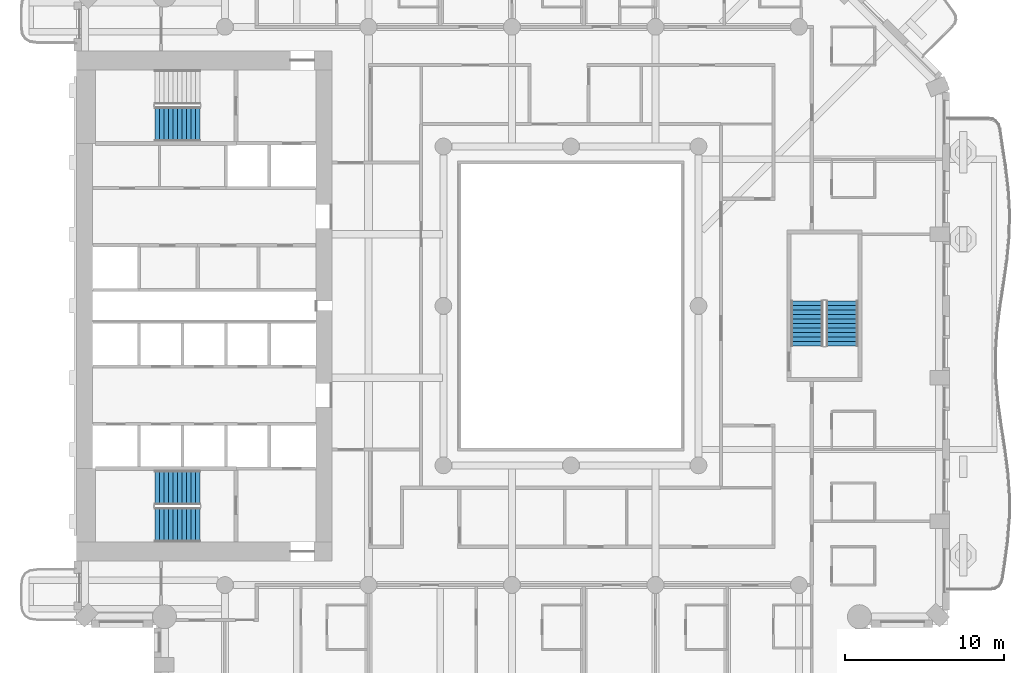
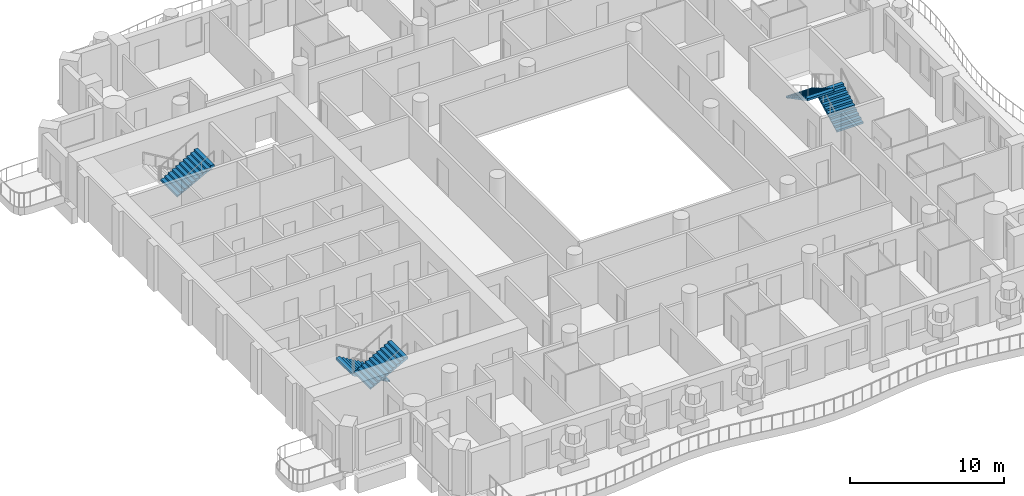
# One storey, part 11 of 20: 5 stair flights, 3 elements without a shape of their own.
"""IFC4 building model written with IfcOpenShell, lengths in metres."""

import ifcopenshell
import ifcopenshell.guid

model = None  # the IFC model being written
_history = None  # IfcOwnerHistory: only IFC2X3 demands one
_inside = {}  # id of a spatial element -> (the spatial element, [elements in it])
_under = {}  # id of a project, library or spatial element -> (it, [spatial elements below it])
_declared = {}  # id of a project -> (the project, [libraries it declares])
_typed = {}  # id of a type object -> (the type object, [elements of that type])
_made_of = {}  # id of a material, layer set ... -> (it, [elements and type objects made of it])


def new_model(schema):
    """Start an empty IFC model of exactly this schema.

    Asked for "IFC4X3", IfcOpenShell would pick the latest addendum, in which some entities
    have other attributes; the version numbers below select the first issue.
    IFC2X3 requires an IfcOwnerHistory on every rooted entity: one is made here for all.
    """
    global model, _history
    if schema == "IFC4X3":
        model = ifcopenshell.file(schema_version=(4, 3, 0, 0))
    else:
        model = ifcopenshell.file(schema=schema)
    _inside.clear()
    _under.clear()
    _declared.clear()
    _typed.clear()
    _made_of.clear()
    _history = None
    if model.schema == "IFC2X3":
        org = make("IfcOrganization", Name="unknown")
        user = make(
            "IfcPersonAndOrganization",
            ThePerson=make("IfcPerson", FamilyName="unknown"),
            TheOrganization=org,
        )
        app = make(
            "IfcApplication",
            ApplicationDeveloper=org,
            Version="unknown",
            ApplicationFullName="unknown",
            ApplicationIdentifier="unknown",
        )
        _history = make(
            "IfcOwnerHistory",
            OwningUser=user,
            OwningApplication=app,
            ChangeAction="ADDED",
            CreationDate=0,
        )
    return model


def make(cls, **values):
    """One entity of the class cls with the attributes given. An attribute that is None is left unset."""
    return model.create_entity(
        cls, **{name: value for name, value in values.items() if value is not None}
    )


def rooted(cls, **values):
    """An entity with a GlobalId (a new one), such as an element, a storey or a relation."""
    return make(cls, GlobalId=ifcopenshell.guid.new(), OwnerHistory=_history, **values)


def si_unit(unit_type, name, prefix=None):
    """IfcSIUnit, for example si_unit("LENGTHUNIT", "METRE", prefix="MILLI")."""
    return make("IfcSIUnit", UnitType=unit_type, Prefix=prefix, Name=name)


def assignment(units):
    """IfcUnitAssignment: the units of a project."""
    return None if units is None else make("IfcUnitAssignment", Units=units)


def point(xyz):
    """IfcCartesianPoint."""
    return None if xyz is None else make("IfcCartesianPoint", Coordinates=xyz)


def direction(xyz):
    """IfcDirection."""
    return None if xyz is None else make("IfcDirection", DirectionRatios=xyz)


def frame(location, z_axis=None, x_axis=None):
    """IfcAxis2Placement3D, a coordinate frame: its origin and axes. An axis left out is left unset."""
    return make(
        "IfcAxis2Placement3D",
        Location=point(location),
        Axis=direction(z_axis),
        RefDirection=direction(x_axis),
    )


def origin():
    """The frame at (0, 0, 0) with its axes left unset."""
    return frame((0.0, 0.0, 0.0))


def place(relative_to, where):
    """IfcLocalPlacement: puts the frame where relative to a parent placement (None: the world)."""
    return make(
        "IfcLocalPlacement", PlacementRelTo=relative_to, RelativePlacement=where
    )


def context(
    kind, dimensions, precision=None, world=None, true_north=None, identifier=None
):
    """IfcGeometricRepresentationContext, for example the 3D "Model" context."""
    return make(
        "IfcGeometricRepresentationContext",
        ContextIdentifier=identifier,
        ContextType=kind,
        CoordinateSpaceDimension=dimensions,
        Precision=precision,
        WorldCoordinateSystem=world,
        TrueNorth=true_north,
    )


def subcontext(parent, identifier, kind, view, scale=None):
    """IfcGeometricRepresentationSubContext, for example "Body" below "Model"."""
    return make(
        "IfcGeometricRepresentationSubContext",
        ContextIdentifier=identifier,
        ContextType=kind,
        ParentContext=parent,
        TargetScale=scale,
        TargetView=view,
    )


def project(units=None, contexts=None):
    """IfcProject with its units and contexts."""
    return rooted(
        "IfcProject",
        Name="project",
        RepresentationContexts=contexts,
        UnitsInContext=assignment(units),
    )


def spatial(cls, under=None, at=None, **own):
    """A site, building, storey or space (cls), placed at a placement, below another one or the project."""
    s = rooted(cls, ObjectPlacement=at, **own)
    if under is not None:
        _under.setdefault(under.id(), (under, []))[1].append(s)
    return s


def point_list(points):
    """IfcCartesianPointList2D or 3D."""
    cls = (
        "IfcCartesianPointList2D" if len(points[0]) == 2 else "IfcCartesianPointList3D"
    )
    return make(cls, CoordList=points)


def triangles(points, corners, closed=None, point_numbers=None):
    """IfcTriangulatedFaceSet: each triangle names its three corners, points numbered from 1."""
    return make(
        "IfcTriangulatedFaceSet",
        Coordinates=point_list(points),
        Closed=closed,
        CoordIndex=corners,
        PnIndex=point_numbers,
    )


def shape(context_of_items, identifier, shape_type, items):
    """IfcShapeRepresentation: the items that make up one representation, for example the "Body"."""
    return make(
        "IfcShapeRepresentation",
        ContextOfItems=context_of_items,
        RepresentationIdentifier=identifier,
        RepresentationType=shape_type,
        Items=items,
    )


def material(Name=None, Category=None):
    """IfcMaterial."""
    return make("IfcMaterial", Name=Name, Category=Category)


def made_of(thing, what):
    """Note that an element or type object is made of a material, layer set ...; save() writes the relation."""
    if what is not None:
        _made_of.setdefault(what.id(), (what, []))[1].append(thing)
    return thing


def type_object(cls, material=None, **own):
    """A type object (cls), such as IfcWallType, which elements share."""
    return made_of(rooted(cls, **own), material)


def element(
    cls,
    number,
    at=None,
    inside=None,
    cuts=None,
    type_object=None,
    material=None,
    context=None,
    identifier="Body",
    shape_type=None,
    held_by="IfcProductDefinitionShape",
    body=None,
    shapes=None,
    **own,
):
    """One element of the class cls, such as IfcWall. Its Tag is "e" and its number.

    at: its placement. inside: the storey or other place that contains it. cuts: it is an
    opening in that element (IfcRelVoidsElement). A single representation is given by context,
    identifier, shape_type and body (its items); several are given by shapes. held_by: the class
    of the entity that holds the representations. save() writes the other relations.
    """
    e = rooted(cls, Tag="e%d" % number, ObjectPlacement=at, **own)
    if body is not None:
        shapes = [shape(context, identifier, shape_type, body)]
    if shapes is not None:
        e.Representation = make(held_by, Representations=shapes)
    if inside is not None:
        _inside.setdefault(inside.id(), (inside, []))[1].append(e)
    if cuts is not None:
        rooted(
            "IfcRelVoidsElement", RelatingBuildingElement=cuts, RelatedOpeningElement=e
        )
    if type_object is not None:
        _typed.setdefault(type_object.id(), (type_object, []))[1].append(e)
    return made_of(e, material)


def aggregate(whole, parts):
    """IfcRelAggregates: a whole, such as a stair, and the parts it consists of."""
    return rooted("IfcRelAggregates", RelatingObject=whole, RelatedObjects=parts)


def save(model, path):
    """Write the relations noted so far, then the file.

    IfcRelAggregates (storeys below a building ...), IfcRelContainedInSpatialStructure (elements
    in a storey), IfcRelDefinesByType, IfcRelAssociatesMaterial and IfcRelDeclares: one each for
    every whole, place, type object, material and project.
    """
    for whole, parts in _under.values():
        aggregate(whole, parts)
    for where, things in _inside.values():
        rooted(
            "IfcRelContainedInSpatialStructure",
            RelatedElements=things,
            RelatingStructure=where,
        )
    for kind, things in _typed.values():
        rooted("IfcRelDefinesByType", RelatedObjects=things, RelatingType=kind)
    for what, things in _made_of.values():
        rooted("IfcRelAssociatesMaterial", RelatedObjects=things, RelatingMaterial=what)
    for by, libraries in _declared.values():
        rooted("IfcRelDeclares", RelatingContext=by, RelatedDefinitions=libraries)
    model.write(path)


model = new_model("IFC4")

# Units and contexts
model_context = context("Model", 3, precision=1e-05, world=origin(), true_north=direction((0.0, 1.0)))
body_context = subcontext(model_context, "Body", "Model", "MODEL_VIEW")
ifc_project = project(units=[si_unit("LENGTHUNIT", "METRE"), si_unit("AREAUNIT", "SQUARE_METRE"), si_unit("VOLUMEUNIT", "CUBIC_METRE"), si_unit("PLANEANGLEUNIT", "RADIAN"), si_unit("MASSUNIT", "GRAM", prefix="KILO")], contexts=[model_context])

# Site, building, storey
site_placement = place(None, origin())
site = spatial("IfcSite", under=ifc_project, at=site_placement, CompositionType="ELEMENT")
building_placement = place(site_placement, origin())
building = spatial("IfcBuilding", under=site, at=building_placement, Name="Cypress Arch Tower", CompositionType="ELEMENT")
storey_placement = place(building_placement, frame((0.0, 0.0, 134.699951171875)))
storey = spatial("IfcBuildingStorey", under=building, at=storey_placement, Name="L29", CompositionType="ELEMENT", Elevation=134.699951171875)

# Stair, stair flights
ifc_material_1 = material(Name="Concrete C40/50", Category="concrete")
stair_type_1 = type_object("IfcStairType", Name="Exit stair ES1636-200", PredefinedType="HALF_TURN_STAIR", material=ifc_material_1)
stair_1_placement = place(storey_placement, origin())
stair_1 = element("IfcStair", 1, at=stair_1_placement, inside=storey, type_object=stair_type_1, Name="L29 Exit stair C", PredefinedType="HALF_TURN_STAIR")
ifc_material_2 = material(Name="Concrete C40/50", Category="concrete")
stair_flight_type_1 = type_object("IfcStairFlightType", Name="Exit stair flight ES1636-200", PredefinedType="STRAIGHT", material=ifc_material_2)
stair_flight_1_placement = place(storey_placement, frame((18.0, -2.5, 0.0), z_axis=(0.0, 0.0, 1.0), x_axis=(0.0, 1.0, 0.0)))
stair_flight_1 = element("IfcStairFlight", 2, at=stair_flight_1_placement, type_object=stair_flight_type_1, Name="C flight 1", NumberOfRisers=11, NumberOfTreads=10, PredefinedType="STRAIGHT", RiserHeight=0.163636364, TreadLength=0.28, context=body_context, shape_type="Tessellation", body=[
    triangles([(0.0, -1.0, 0.0), (0.00048828125, -1.0, 0.054443359375), (0.00048828125, -1.0, 0.109130859375), (0.0, -1.0, 0.16357421875), (0.280029296875, -1.0, 0.16357421875), (0.280029296875, -1.0, 0.327392578125), (0.56005859375, -1.0, 0.327392578125), (0.56005859375, -1.0, 0.490966796875), (0.840087890625, -1.0, 0.490966796875), (0.840087890625, -1.0, 0.654541015625), (1.1201171875, -1.0, 0.654541015625), (1.1201171875, -1.0, 0.818115234375), (1.39990234375, -1.0, 0.818115234375), (1.39990234375, -1.0, 0.98193359375), (1.679931640625, -1.0, 0.98193359375), (1.679931640625, -1.0, 1.1455078125), (1.9599609375, -1.0, 1.1455078125), (1.9599609375, -1.0, 1.30908203125), (2.239990234375, -1.0, 1.30908203125), (2.239990234375, -1.0, 1.47265625), (2.52001953125, -1.0, 1.47265625), (2.52001953125, -1.0, 1.636474609375), (2.800048828125, -1.0, 1.636474609375), (2.799560546875, -1.0, 1.57861328125), (2.799560546875, -1.0, 1.5205078125), (2.800048828125, -1.0, 1.462646484375), (2.800048828125, 1.0, 1.462646484375), (2.799560546875, 1.0, 1.5205078125), (2.799560546875, 1.0, 1.57861328125), (2.800048828125, 1.0, 1.636474609375), (2.52001953125, 1.0, 1.636474609375), (2.52001953125, 1.0, 1.47265625), (2.239990234375, 1.0, 1.47265625), (2.239990234375, 1.0, 1.30908203125), (1.9599609375, 1.0, 1.30908203125), (1.9599609375, 1.0, 1.1455078125), (1.679931640625, 1.0, 1.1455078125), (1.679931640625, 1.0, 0.98193359375), (1.39990234375, 1.0, 0.98193359375), (1.39990234375, 1.0, 0.818115234375), (1.1201171875, 1.0, 0.818115234375), (1.1201171875, 1.0, 0.654541015625), (0.840087890625, 1.0, 0.654541015625), (0.840087890625, 1.0, 0.490966796875), (0.56005859375, 1.0, 0.490966796875), (0.56005859375, 1.0, 0.327392578125), (0.280029296875, 1.0, 0.327392578125), (0.280029296875, 1.0, 0.16357421875), (0.0, 1.0, 0.16357421875), (0.00048828125, 1.0, 0.109130859375), (0.00048828125, 1.0, 0.054443359375), (0.0, 1.0, 0.0), (2.799560546875, 0.0, 1.5205078125), (2.800048828125, 0.0, 1.462646484375), (2.799560546875, 0.0, 1.57861328125), (2.800048828125, 0.0, 1.636474609375), (2.52001953125, 0.0, 1.636474609375), (2.52001953125, 0.0, 1.47265625), (2.239990234375, 0.0, 1.47265625), (2.239990234375, 0.0, 1.30908203125), (1.9599609375, 0.0, 1.30908203125), (1.9599609375, 0.0, 1.1455078125), (1.679931640625, 0.0, 1.1455078125), (1.679931640625, 0.0, 0.98193359375), (1.39990234375, 0.0, 0.98193359375), (1.39990234375, 0.0, 0.818115234375), (1.1201171875, 0.0, 0.818115234375), (1.1201171875, 0.0, 0.654541015625), (0.840087890625, 0.0, 0.654541015625), (0.840087890625, 0.0, 0.490966796875), (0.56005859375, 0.0, 0.490966796875), (0.56005859375, 0.0, 0.327392578125), (0.280029296875, 0.0, 0.327392578125), (0.280029296875, 0.0, 0.16357421875), (0.0, 0.0, 0.16357421875), (0.00048828125, 0.0, 0.109130859375), (0.00048828125, 0.0, 0.054443359375), (0.0, 0.0, 0.0)], [[26, 25, 22], [25, 24, 22], [24, 23, 22], [15, 14, 13], [7, 6, 5], [13, 12, 11], [21, 20, 19], [19, 18, 17], [17, 16, 15], [11, 10, 9], [9, 8, 7], [4, 3, 5], [3, 2, 5], [2, 1, 5], [26, 22, 21], [26, 21, 19], [26, 19, 17], [26, 17, 15], [26, 15, 13], [26, 13, 11], [26, 11, 9], [26, 9, 7], [26, 7, 5], [26, 5, 1], [27, 31, 28], [28, 31, 29], [29, 31, 30], [38, 40, 39], [46, 48, 47], [40, 42, 41], [32, 34, 33], [34, 36, 35], [36, 38, 37], [42, 44, 43], [44, 46, 45], [49, 48, 50], [50, 48, 51], [51, 48, 52], [27, 32, 31], [27, 34, 32], [27, 36, 34], [27, 38, 36], [27, 40, 38], [27, 42, 40], [27, 44, 42], [27, 46, 44], [27, 48, 46], [27, 52, 48], [54, 53, 25], [54, 25, 26], [27, 28, 53], [27, 53, 54], [53, 55, 24], [53, 24, 25], [28, 29, 55], [28, 55, 53], [55, 56, 23], [55, 23, 24], [29, 30, 56], [29, 56, 55], [56, 57, 22], [56, 22, 23], [30, 31, 57], [30, 57, 56], [57, 58, 21], [57, 21, 22], [31, 32, 58], [31, 58, 57], [58, 59, 20], [58, 20, 21], [32, 33, 59], [32, 59, 58], [59, 60, 19], [59, 19, 20], [33, 34, 60], [33, 60, 59], [60, 61, 18], [60, 18, 19], [34, 35, 61], [34, 61, 60], [61, 62, 17], [61, 17, 18], [35, 36, 62], [35, 62, 61], [62, 63, 16], [62, 16, 17], [36, 37, 63], [36, 63, 62], [63, 64, 15], [63, 15, 16], [37, 38, 64], [37, 64, 63], [64, 65, 14], [64, 14, 15], [38, 39, 65], [38, 65, 64], [65, 66, 13], [65, 13, 14], [39, 40, 66], [39, 66, 65], [66, 67, 12], [66, 12, 13], [40, 41, 67], [40, 67, 66], [67, 68, 11], [67, 11, 12], [41, 42, 68], [41, 68, 67], [68, 69, 10], [68, 10, 11], [42, 43, 69], [42, 69, 68], [69, 70, 9], [69, 9, 10], [43, 44, 70], [43, 70, 69], [70, 71, 8], [70, 8, 9], [44, 45, 71], [44, 71, 70], [71, 72, 7], [71, 7, 8], [45, 46, 72], [45, 72, 71], [72, 73, 6], [72, 6, 7], [46, 47, 73], [46, 73, 72], [73, 74, 5], [73, 5, 6], [47, 48, 74], [47, 74, 73], [74, 75, 4], [74, 4, 5], [48, 49, 75], [48, 75, 74], [75, 76, 3], [75, 3, 4], [49, 50, 76], [49, 76, 75], [76, 77, 2], [76, 2, 3], [50, 51, 77], [50, 77, 76], [77, 78, 1], [77, 1, 2], [51, 52, 78], [51, 78, 77], [78, 54, 26], [78, 26, 1], [52, 27, 54], [52, 54, 78]], closed=True),
])
stair_flight_2_placement = place(storey_placement, frame((15.800048828125, 0.300048828125, 1.800048828125), z_axis=(0.0, 0.0, 1.0), x_axis=(0.0, -1.0, 0.0)))
stair_flight_2 = element("IfcStairFlight", 3, at=stair_flight_2_placement, type_object=stair_flight_type_1, Name="C flight 2", NumberOfRisers=11, NumberOfTreads=10, PredefinedType="STRAIGHT", RiserHeight=0.163636364, TreadLength=0.28, context=body_context, shape_type="Tessellation", body=[
    triangles([(0.0, -1.0, 0.0), (0.00048828125, -1.0, 0.054443359375), (0.00048828125, -1.0, 0.109130859375), (0.0, -1.0, 0.16357421875), (0.280029296875, -1.0, 0.16357421875), (0.280029296875, -1.0, 0.327392578125), (0.56005859375, -1.0, 0.327392578125), (0.56005859375, -1.0, 0.490966796875), (0.840087890625, -1.0, 0.490966796875), (0.840087890625, -1.0, 0.654541015625), (1.1201171875, -1.0, 0.654541015625), (1.1201171875, -1.0, 0.818115234375), (1.39990234375, -1.0, 0.818115234375), (1.39990234375, -1.0, 0.98193359375), (1.679931640625, -1.0, 0.98193359375), (1.679931640625, -1.0, 1.1455078125), (1.9599609375, -1.0, 1.1455078125), (1.9599609375, -1.0, 1.30908203125), (2.239990234375, -1.0, 1.30908203125), (2.239990234375, -1.0, 1.47265625), (2.52001953125, -1.0, 1.47265625), (2.52001953125, -1.0, 1.636474609375), (2.800048828125, -1.0, 1.636474609375), (2.799560546875, -1.0, 1.57861328125), (2.799560546875, -1.0, 1.5205078125), (2.800048828125, -1.0, 1.462646484375), (2.800048828125, 1.0, 1.462646484375), (2.799560546875, 1.0, 1.5205078125), (2.799560546875, 1.0, 1.57861328125), (2.800048828125, 1.0, 1.636474609375), (2.52001953125, 1.0, 1.636474609375), (2.52001953125, 1.0, 1.47265625), (2.239990234375, 1.0, 1.47265625), (2.239990234375, 1.0, 1.30908203125), (1.9599609375, 1.0, 1.30908203125), (1.9599609375, 1.0, 1.1455078125), (1.679931640625, 1.0, 1.1455078125), (1.679931640625, 1.0, 0.98193359375), (1.39990234375, 1.0, 0.98193359375), (1.39990234375, 1.0, 0.818115234375), (1.1201171875, 1.0, 0.818115234375), (1.1201171875, 1.0, 0.654541015625), (0.840087890625, 1.0, 0.654541015625), (0.840087890625, 1.0, 0.490966796875), (0.56005859375, 1.0, 0.490966796875), (0.56005859375, 1.0, 0.327392578125), (0.280029296875, 1.0, 0.327392578125), (0.280029296875, 1.0, 0.16357421875), (0.0, 1.0, 0.16357421875), (0.00048828125, 1.0, 0.109130859375), (0.00048828125, 1.0, 0.054443359375), (0.0, 1.0, 0.0), (2.799560546875, 0.0, 1.5205078125), (2.800048828125, 0.0, 1.462646484375), (2.799560546875, 0.0, 1.57861328125), (2.800048828125, 0.0, 1.636474609375), (2.52001953125, 0.0, 1.636474609375), (2.52001953125, 0.0, 1.47265625), (2.239990234375, 0.0, 1.47265625), (2.239990234375, 0.0, 1.30908203125), (1.9599609375, 0.0, 1.30908203125), (1.9599609375, 0.0, 1.1455078125), (1.679931640625, 0.0, 1.1455078125), (1.679931640625, 0.0, 0.98193359375), (1.39990234375, 0.0, 0.98193359375), (1.39990234375, 0.0, 0.818115234375), (1.1201171875, 0.0, 0.818115234375), (1.1201171875, 0.0, 0.654541015625), (0.840087890625, 0.0, 0.654541015625), (0.840087890625, 0.0, 0.490966796875), (0.56005859375, 0.0, 0.490966796875), (0.56005859375, 0.0, 0.327392578125), (0.280029296875, 0.0, 0.327392578125), (0.280029296875, 0.0, 0.16357421875), (0.0, 0.0, 0.16357421875), (0.00048828125, 0.0, 0.109130859375), (0.00048828125, 0.0, 0.054443359375), (0.0, 0.0, 0.0)], [[26, 25, 22], [25, 24, 22], [24, 23, 22], [15, 14, 13], [7, 6, 5], [13, 12, 11], [21, 20, 19], [19, 18, 17], [17, 16, 15], [11, 10, 9], [9, 8, 7], [4, 3, 5], [3, 2, 5], [2, 1, 5], [26, 22, 21], [26, 21, 19], [26, 19, 17], [26, 17, 15], [26, 15, 13], [26, 13, 11], [26, 11, 9], [26, 9, 7], [26, 7, 5], [26, 5, 1], [27, 31, 28], [28, 31, 29], [29, 31, 30], [38, 40, 39], [46, 48, 47], [40, 42, 41], [32, 34, 33], [34, 36, 35], [36, 38, 37], [42, 44, 43], [44, 46, 45], [49, 48, 50], [50, 48, 51], [51, 48, 52], [27, 32, 31], [27, 34, 32], [27, 36, 34], [27, 38, 36], [27, 40, 38], [27, 42, 40], [27, 44, 42], [27, 46, 44], [27, 48, 46], [27, 52, 48], [54, 53, 25], [54, 25, 26], [27, 28, 53], [27, 53, 54], [53, 55, 24], [53, 24, 25], [28, 29, 55], [28, 55, 53], [55, 56, 23], [55, 23, 24], [29, 30, 56], [29, 56, 55], [56, 57, 22], [56, 22, 23], [30, 31, 57], [30, 57, 56], [57, 58, 21], [57, 21, 22], [31, 32, 58], [31, 58, 57], [58, 59, 20], [58, 20, 21], [32, 33, 59], [32, 59, 58], [59, 60, 19], [59, 19, 20], [33, 34, 60], [33, 60, 59], [60, 61, 18], [60, 18, 19], [34, 35, 61], [34, 61, 60], [61, 62, 17], [61, 17, 18], [35, 36, 62], [35, 62, 61], [62, 63, 16], [62, 16, 17], [36, 37, 63], [36, 63, 62], [63, 64, 15], [63, 15, 16], [37, 38, 64], [37, 64, 63], [64, 65, 14], [64, 14, 15], [38, 39, 65], [38, 65, 64], [65, 66, 13], [65, 13, 14], [39, 40, 66], [39, 66, 65], [66, 67, 12], [66, 12, 13], [40, 41, 67], [40, 67, 66], [67, 68, 11], [67, 11, 12], [41, 42, 68], [41, 68, 67], [68, 69, 10], [68, 10, 11], [42, 43, 69], [42, 69, 68], [69, 70, 9], [69, 9, 10], [43, 44, 70], [43, 70, 69], [70, 71, 8], [70, 8, 9], [44, 45, 71], [44, 71, 70], [71, 72, 7], [71, 7, 8], [45, 46, 72], [45, 72, 71], [72, 73, 6], [72, 6, 7], [46, 47, 73], [46, 73, 72], [73, 74, 5], [73, 5, 6], [47, 48, 74], [47, 74, 73], [74, 75, 4], [74, 4, 5], [48, 49, 75], [48, 75, 74], [75, 76, 3], [75, 3, 4], [49, 50, 76], [49, 76, 75], [76, 77, 2], [76, 2, 3], [50, 51, 77], [50, 77, 76], [77, 78, 1], [77, 1, 2], [51, 52, 78], [51, 78, 77], [78, 54, 26], [78, 26, 1], [52, 27, 54], [52, 54, 78]], closed=True),
])
aggregate(stair_1, [stair_flight_1, stair_flight_2])

ifc_material_3 = material(Name="Concrete C40/50", Category="concrete")
stair_type_2 = type_object("IfcStairType", Name="Exit stair ES1636-215", PredefinedType="HALF_TURN_STAIR", material=ifc_material_3)
stair_2_placement = place(storey_placement, origin())
stair_2 = element("IfcStair", 4, at=stair_2_placement, inside=storey, type_object=stair_type_2, Name="L29 Exit stair A", PredefinedType="HALF_TURN_STAIR")
ifc_material_4 = material(Name="Concrete C40/50", Category="concrete")
stair_flight_type_2 = type_object("IfcStairFlightType", Name="Exit stair flight ES1636-215", PredefinedType="STRAIGHT", material=ifc_material_4)
stair_flight_3_placement = place(storey_placement, frame((-22.27490234375, -11.39990234375, 0.0), z_axis=(0.0, 0.0, 1.0), x_axis=(-1.0, 0.0, 0.0)))
stair_flight_3 = element("IfcStairFlight", 5, at=stair_flight_3_placement, type_object=stair_flight_type_2, Name="A flight 1", NumberOfRisers=11, NumberOfTreads=10, PredefinedType="STRAIGHT", RiserHeight=0.163636364, TreadLength=0.28, context=body_context, shape_type="Tessellation", body=[
    triangles([(0.0, -1.074951171875, 0.0), (0.000244140625, -1.074951171875, 0.03271484375), (0.00048828125, -1.074951171875, 0.0654296875), (0.00048828125, -1.074951171875, 0.09814453125), (0.000244140625, -1.074951171875, 0.130859375), (0.0, -1.074951171875, 0.16357421875), (0.280029296875, -1.074951171875, 0.16357421875), (0.280029296875, -1.074951171875, 0.327392578125), (0.56005859375, -1.074951171875, 0.327392578125), (0.56005859375, -1.074951171875, 0.490966796875), (0.840087890625, -1.074951171875, 0.490966796875), (0.840087890625, -1.074951171875, 0.654541015625), (1.1201171875, -1.074951171875, 0.654541015625), (1.1201171875, -1.074951171875, 0.818115234375), (1.39990234375, -1.074951171875, 0.818115234375), (1.39990234375, -1.074951171875, 0.98193359375), (1.679931640625, -1.074951171875, 0.98193359375), (1.679931640625, -1.074951171875, 1.1455078125), (1.9599609375, -1.074951171875, 1.1455078125), (1.9599609375, -1.074951171875, 1.30908203125), (2.239990234375, -1.074951171875, 1.30908203125), (2.239990234375, -1.074951171875, 1.47265625), (2.52001953125, -1.074951171875, 1.47265625), (2.52001953125, -1.074951171875, 1.636474609375), (2.800048828125, -1.074951171875, 1.636474609375), (2.7998046875, -1.074951171875, 1.601806640625), (2.799560546875, -1.074951171875, 1.56689453125), (2.799560546875, -1.074951171875, 1.5322265625), (2.7998046875, -1.074951171875, 1.497314453125), (2.800048828125, -1.074951171875, 1.462646484375), (2.800048828125, 1.074951171875, 1.462646484375), (2.7998046875, 1.074951171875, 1.497314453125), (2.799560546875, 1.074951171875, 1.5322265625), (2.799560546875, 1.074951171875, 1.56689453125), (2.7998046875, 1.074951171875, 1.601806640625), (2.800048828125, 1.074951171875, 1.636474609375), (2.52001953125, 1.074951171875, 1.636474609375), (2.52001953125, 1.074951171875, 1.47265625), (2.239990234375, 1.074951171875, 1.47265625), (2.239990234375, 1.074951171875, 1.30908203125), (1.9599609375, 1.074951171875, 1.30908203125), (1.9599609375, 1.074951171875, 1.1455078125), (1.679931640625, 1.074951171875, 1.1455078125), (1.679931640625, 1.074951171875, 0.98193359375), (1.39990234375, 1.074951171875, 0.98193359375), (1.39990234375, 1.074951171875, 0.818115234375), (1.1201171875, 1.074951171875, 0.818115234375), (1.1201171875, 1.074951171875, 0.654541015625), (0.840087890625, 1.074951171875, 0.654541015625), (0.840087890625, 1.074951171875, 0.490966796875), (0.56005859375, 1.074951171875, 0.490966796875), (0.56005859375, 1.074951171875, 0.327392578125), (0.280029296875, 1.074951171875, 0.327392578125), (0.280029296875, 1.074951171875, 0.16357421875), (0.0, 1.074951171875, 0.16357421875), (0.000244140625, 1.074951171875, 0.130859375), (0.00048828125, 1.074951171875, 0.09814453125), (0.00048828125, 1.074951171875, 0.0654296875), (0.000244140625, 1.074951171875, 0.03271484375), (0.0, 1.074951171875, 0.0), (2.7998046875, 0.0, 1.497314453125), (2.800048828125, 0.0, 1.462646484375), (2.799560546875, 0.0, 1.5322265625), (2.799560546875, 0.0, 1.56689453125), (2.7998046875, 0.0, 1.601806640625), (2.800048828125, 0.0, 1.636474609375), (2.52001953125, 0.0, 1.636474609375), (2.52001953125, 0.0, 1.47265625), (2.239990234375, 0.0, 1.47265625), (2.239990234375, 0.0, 1.30908203125), (1.9599609375, 0.0, 1.30908203125), (1.9599609375, 0.0, 1.1455078125), (1.679931640625, 0.0, 1.1455078125), (1.679931640625, 0.0, 0.98193359375), (1.39990234375, 0.0, 0.98193359375), (1.39990234375, 0.0, 0.818115234375), (1.1201171875, 0.0, 0.818115234375), (1.1201171875, 0.0, 0.654541015625), (0.840087890625, 0.0, 0.654541015625), (0.840087890625, 0.0, 0.490966796875), (0.56005859375, 0.0, 0.490966796875), (0.56005859375, 0.0, 0.327392578125), (0.280029296875, 0.0, 0.327392578125), (0.280029296875, 0.0, 0.16357421875), (0.0, 0.0, 0.16357421875), (0.000244140625, 0.0, 0.130859375), (0.00048828125, 0.0, 0.09814453125), (0.00048828125, 0.0, 0.0654296875), (0.000244140625, 0.0, 0.03271484375), (0.0, 0.0, 0.0)], [[30, 29, 24], [29, 28, 24], [28, 27, 24], [27, 26, 24], [26, 25, 24], [17, 16, 15], [9, 8, 7], [15, 14, 13], [23, 22, 21], [21, 20, 19], [19, 18, 17], [13, 12, 11], [11, 10, 9], [6, 5, 7], [5, 4, 7], [4, 3, 7], [3, 2, 7], [2, 1, 7], [30, 24, 23], [30, 23, 21], [30, 21, 19], [30, 19, 17], [30, 17, 15], [30, 15, 13], [30, 13, 11], [30, 11, 9], [30, 9, 7], [30, 7, 1], [31, 37, 32], [32, 37, 33], [33, 37, 34], [34, 37, 35], [35, 37, 36], [44, 46, 45], [52, 54, 53], [46, 48, 47], [38, 40, 39], [40, 42, 41], [42, 44, 43], [48, 50, 49], [50, 52, 51], [55, 54, 56], [56, 54, 57], [57, 54, 58], [58, 54, 59], [59, 54, 60], [31, 38, 37], [31, 40, 38], [31, 42, 40], [31, 44, 42], [31, 46, 44], [31, 48, 46], [31, 50, 48], [31, 52, 50], [31, 54, 52], [31, 60, 54], [62, 61, 29], [62, 29, 30], [31, 32, 61], [31, 61, 62], [61, 63, 28], [61, 28, 29], [32, 33, 63], [32, 63, 61], [63, 64, 27], [63, 27, 28], [33, 34, 64], [33, 64, 63], [64, 65, 26], [64, 26, 27], [34, 35, 65], [34, 65, 64], [65, 66, 25], [65, 25, 26], [35, 36, 66], [35, 66, 65], [66, 67, 24], [66, 24, 25], [36, 37, 67], [36, 67, 66], [67, 68, 23], [67, 23, 24], [37, 38, 68], [37, 68, 67], [68, 69, 22], [68, 22, 23], [38, 39, 69], [38, 69, 68], [69, 70, 21], [69, 21, 22], [39, 40, 70], [39, 70, 69], [70, 71, 20], [70, 20, 21], [40, 41, 71], [40, 71, 70], [71, 72, 19], [71, 19, 20], [41, 42, 72], [41, 72, 71], [72, 73, 18], [72, 18, 19], [42, 43, 73], [42, 73, 72], [73, 74, 17], [73, 17, 18], [43, 44, 74], [43, 74, 73], [74, 75, 16], [74, 16, 17], [44, 45, 75], [44, 75, 74], [75, 76, 15], [75, 15, 16], [45, 46, 76], [45, 76, 75], [76, 77, 14], [76, 14, 15], [46, 47, 77], [46, 77, 76], [77, 78, 13], [77, 13, 14], [47, 48, 78], [47, 78, 77], [78, 79, 12], [78, 12, 13], [48, 49, 79], [48, 79, 78], [79, 80, 11], [79, 11, 12], [49, 50, 80], [49, 80, 79], [80, 81, 10], [80, 10, 11], [50, 51, 81], [50, 81, 80], [81, 82, 9], [81, 9, 10], [51, 52, 82], [51, 82, 81], [82, 83, 8], [82, 8, 9], [52, 53, 83], [52, 83, 82], [83, 84, 7], [83, 7, 8], [53, 54, 84], [53, 84, 83], [84, 85, 6], [84, 6, 7], [54, 55, 85], [54, 85, 84], [85, 86, 5], [85, 5, 6], [55, 56, 86], [55, 86, 85], [86, 87, 4], [86, 4, 5], [56, 57, 87], [56, 87, 86], [87, 88, 3], [87, 3, 4], [57, 58, 88], [57, 88, 87], [88, 89, 2], [88, 2, 3], [58, 59, 89], [58, 89, 88], [89, 90, 1], [89, 1, 2], [59, 60, 90], [59, 90, 89], [90, 62, 30], [90, 30, 1], [60, 31, 62], [60, 62, 90]], closed=True),
])
stair_flight_4_placement = place(storey_placement, frame((-25.074951171875, -13.72509765625, 1.800048828125), z_axis=(0.0, 0.0, 1.0), x_axis=(1.0, 0.0, 0.0)))
stair_flight_4 = element("IfcStairFlight", 6, at=stair_flight_4_placement, type_object=stair_flight_type_2, Name="A flight 2", NumberOfRisers=11, NumberOfTreads=10, PredefinedType="STRAIGHT", RiserHeight=0.163636364, TreadLength=0.28, context=body_context, shape_type="Tessellation", body=[
    triangles([(0.0, -1.074951171875, 0.0), (0.000244140625, -1.074951171875, 0.03271484375), (0.00048828125, -1.074951171875, 0.0654296875), (0.00048828125, -1.074951171875, 0.09814453125), (0.000244140625, -1.074951171875, 0.130859375), (0.0, -1.074951171875, 0.16357421875), (0.280029296875, -1.074951171875, 0.16357421875), (0.280029296875, -1.074951171875, 0.327392578125), (0.56005859375, -1.074951171875, 0.327392578125), (0.56005859375, -1.074951171875, 0.490966796875), (0.840087890625, -1.074951171875, 0.490966796875), (0.840087890625, -1.074951171875, 0.654541015625), (1.1201171875, -1.074951171875, 0.654541015625), (1.1201171875, -1.074951171875, 0.818115234375), (1.39990234375, -1.074951171875, 0.818115234375), (1.39990234375, -1.074951171875, 0.98193359375), (1.679931640625, -1.074951171875, 0.98193359375), (1.679931640625, -1.074951171875, 1.1455078125), (1.9599609375, -1.074951171875, 1.1455078125), (1.9599609375, -1.074951171875, 1.30908203125), (2.239990234375, -1.074951171875, 1.30908203125), (2.239990234375, -1.074951171875, 1.47265625), (2.52001953125, -1.074951171875, 1.47265625), (2.52001953125, -1.074951171875, 1.636474609375), (2.800048828125, -1.074951171875, 1.636474609375), (2.7998046875, -1.074951171875, 1.601806640625), (2.799560546875, -1.074951171875, 1.56689453125), (2.799560546875, -1.074951171875, 1.5322265625), (2.7998046875, -1.074951171875, 1.497314453125), (2.800048828125, -1.074951171875, 1.462646484375), (2.800048828125, 1.074951171875, 1.462646484375), (2.7998046875, 1.074951171875, 1.497314453125), (2.799560546875, 1.074951171875, 1.5322265625), (2.799560546875, 1.074951171875, 1.56689453125), (2.7998046875, 1.074951171875, 1.601806640625), (2.800048828125, 1.074951171875, 1.636474609375), (2.52001953125, 1.074951171875, 1.636474609375), (2.52001953125, 1.074951171875, 1.47265625), (2.239990234375, 1.074951171875, 1.47265625), (2.239990234375, 1.074951171875, 1.30908203125), (1.9599609375, 1.074951171875, 1.30908203125), (1.9599609375, 1.074951171875, 1.1455078125), (1.679931640625, 1.074951171875, 1.1455078125), (1.679931640625, 1.074951171875, 0.98193359375), (1.39990234375, 1.074951171875, 0.98193359375), (1.39990234375, 1.074951171875, 0.818115234375), (1.1201171875, 1.074951171875, 0.818115234375), (1.1201171875, 1.074951171875, 0.654541015625), (0.840087890625, 1.074951171875, 0.654541015625), (0.840087890625, 1.074951171875, 0.490966796875), (0.56005859375, 1.074951171875, 0.490966796875), (0.56005859375, 1.074951171875, 0.327392578125), (0.280029296875, 1.074951171875, 0.327392578125), (0.280029296875, 1.074951171875, 0.16357421875), (0.0, 1.074951171875, 0.16357421875), (0.000244140625, 1.074951171875, 0.130859375), (0.00048828125, 1.074951171875, 0.09814453125), (0.00048828125, 1.074951171875, 0.0654296875), (0.000244140625, 1.074951171875, 0.03271484375), (0.0, 1.074951171875, 0.0), (2.7998046875, 0.0, 1.497314453125), (2.800048828125, 0.0, 1.462646484375), (2.799560546875, 0.0, 1.5322265625), (2.799560546875, 0.0, 1.56689453125), (2.7998046875, 0.0, 1.601806640625), (2.800048828125, 0.0, 1.636474609375), (2.52001953125, 0.0, 1.636474609375), (2.52001953125, 0.0, 1.47265625), (2.239990234375, 0.0, 1.47265625), (2.239990234375, 0.0, 1.30908203125), (1.9599609375, 0.0, 1.30908203125), (1.9599609375, 0.0, 1.1455078125), (1.679931640625, 0.0, 1.1455078125), (1.679931640625, 0.0, 0.98193359375), (1.39990234375, 0.0, 0.98193359375), (1.39990234375, 0.0, 0.818115234375), (1.1201171875, 0.0, 0.818115234375), (1.1201171875, 0.0, 0.654541015625), (0.840087890625, 0.0, 0.654541015625), (0.840087890625, 0.0, 0.490966796875), (0.56005859375, 0.0, 0.490966796875), (0.56005859375, 0.0, 0.327392578125), (0.280029296875, 0.0, 0.327392578125), (0.280029296875, 0.0, 0.16357421875), (0.0, 0.0, 0.16357421875), (0.000244140625, 0.0, 0.130859375), (0.00048828125, 0.0, 0.09814453125), (0.00048828125, 0.0, 0.0654296875), (0.000244140625, 0.0, 0.03271484375), (0.0, 0.0, 0.0)], [[30, 29, 24], [29, 28, 24], [28, 27, 24], [27, 26, 24], [26, 25, 24], [17, 16, 15], [9, 8, 7], [15, 14, 13], [23, 22, 21], [21, 20, 19], [19, 18, 17], [13, 12, 11], [11, 10, 9], [6, 5, 7], [5, 4, 7], [4, 3, 7], [3, 2, 7], [2, 1, 7], [30, 24, 23], [30, 23, 21], [30, 21, 19], [30, 19, 17], [30, 17, 15], [30, 15, 13], [30, 13, 11], [30, 11, 9], [30, 9, 7], [30, 7, 1], [31, 37, 32], [32, 37, 33], [33, 37, 34], [34, 37, 35], [35, 37, 36], [44, 46, 45], [52, 54, 53], [46, 48, 47], [38, 40, 39], [40, 42, 41], [42, 44, 43], [48, 50, 49], [50, 52, 51], [55, 54, 56], [56, 54, 57], [57, 54, 58], [58, 54, 59], [59, 54, 60], [31, 38, 37], [31, 40, 38], [31, 42, 40], [31, 44, 42], [31, 46, 44], [31, 48, 46], [31, 50, 48], [31, 52, 50], [31, 54, 52], [31, 60, 54], [62, 61, 29], [62, 29, 30], [31, 32, 61], [31, 61, 62], [61, 63, 28], [61, 28, 29], [32, 33, 63], [32, 63, 61], [63, 64, 27], [63, 27, 28], [33, 34, 64], [33, 64, 63], [64, 65, 26], [64, 26, 27], [34, 35, 65], [34, 65, 64], [65, 66, 25], [65, 25, 26], [35, 36, 66], [35, 66, 65], [66, 67, 24], [66, 24, 25], [36, 37, 67], [36, 67, 66], [67, 68, 23], [67, 23, 24], [37, 38, 68], [37, 68, 67], [68, 69, 22], [68, 22, 23], [38, 39, 69], [38, 69, 68], [69, 70, 21], [69, 21, 22], [39, 40, 70], [39, 70, 69], [70, 71, 20], [70, 20, 21], [40, 41, 71], [40, 71, 70], [71, 72, 19], [71, 19, 20], [41, 42, 72], [41, 72, 71], [72, 73, 18], [72, 18, 19], [42, 43, 73], [42, 73, 72], [73, 74, 17], [73, 17, 18], [43, 44, 74], [43, 74, 73], [74, 75, 16], [74, 16, 17], [44, 45, 75], [44, 75, 74], [75, 76, 15], [75, 15, 16], [45, 46, 76], [45, 76, 75], [76, 77, 14], [76, 14, 15], [46, 47, 77], [46, 77, 76], [77, 78, 13], [77, 13, 14], [47, 48, 78], [47, 78, 77], [78, 79, 12], [78, 12, 13], [48, 49, 79], [48, 79, 78], [79, 80, 11], [79, 11, 12], [49, 50, 80], [49, 80, 79], [80, 81, 10], [80, 10, 11], [50, 51, 81], [50, 81, 80], [81, 82, 9], [81, 9, 10], [51, 52, 82], [51, 82, 81], [82, 83, 8], [82, 8, 9], [52, 53, 83], [52, 83, 82], [83, 84, 7], [83, 7, 8], [53, 54, 84], [53, 84, 83], [84, 85, 6], [84, 6, 7], [54, 55, 85], [54, 85, 84], [85, 86, 5], [85, 5, 6], [55, 56, 86], [55, 86, 85], [86, 87, 4], [86, 4, 5], [56, 57, 87], [56, 87, 86], [87, 88, 3], [87, 3, 4], [57, 58, 88], [57, 88, 87], [88, 89, 2], [88, 2, 3], [58, 59, 89], [58, 89, 88], [89, 90, 1], [89, 1, 2], [59, 60, 90], [59, 90, 89], [90, 62, 30], [90, 30, 1], [60, 31, 62], [60, 62, 90]], closed=True),
])
aggregate(stair_2, [stair_flight_3, stair_flight_4])

# Stair, stair flight
stair_3_placement = place(storey_placement, origin())
stair_3 = element("IfcStair", 7, at=stair_3_placement, inside=storey, type_object=stair_type_2, Name="L29 Exit stair B", PredefinedType="HALF_TURN_STAIR")
stair_flight_5_placement = place(storey_placement, frame((-25.074951171875, 11.39990234375, 1.800048828125), z_axis=(0.0, 0.0, 1.0), x_axis=(1.0, 0.0, 0.0)))
stair_flight_5 = element("IfcStairFlight", 8, at=stair_flight_5_placement, type_object=stair_flight_type_2, Name="B flight 2", NumberOfRisers=11, NumberOfTreads=10, PredefinedType="STRAIGHT", RiserHeight=0.163636364, TreadLength=0.28, context=body_context, shape_type="Tessellation", body=[
    triangles([(0.0, -1.074951171875, 0.0), (0.000244140625, -1.074951171875, 0.03271484375), (0.00048828125, -1.074951171875, 0.0654296875), (0.00048828125, -1.074951171875, 0.09814453125), (0.000244140625, -1.074951171875, 0.130859375), (0.0, -1.074951171875, 0.16357421875), (0.280029296875, -1.074951171875, 0.16357421875), (0.280029296875, -1.074951171875, 0.327392578125), (0.56005859375, -1.074951171875, 0.327392578125), (0.56005859375, -1.074951171875, 0.490966796875), (0.840087890625, -1.074951171875, 0.490966796875), (0.840087890625, -1.074951171875, 0.654541015625), (1.1201171875, -1.074951171875, 0.654541015625), (1.1201171875, -1.074951171875, 0.818115234375), (1.39990234375, -1.074951171875, 0.818115234375), (1.39990234375, -1.074951171875, 0.98193359375), (1.679931640625, -1.074951171875, 0.98193359375), (1.679931640625, -1.074951171875, 1.1455078125), (1.9599609375, -1.074951171875, 1.1455078125), (1.9599609375, -1.074951171875, 1.30908203125), (2.239990234375, -1.074951171875, 1.30908203125), (2.239990234375, -1.074951171875, 1.47265625), (2.52001953125, -1.074951171875, 1.47265625), (2.52001953125, -1.074951171875, 1.636474609375), (2.800048828125, -1.074951171875, 1.636474609375), (2.7998046875, -1.074951171875, 1.601806640625), (2.799560546875, -1.074951171875, 1.56689453125), (2.799560546875, -1.074951171875, 1.5322265625), (2.7998046875, -1.074951171875, 1.497314453125), (2.800048828125, -1.074951171875, 1.462646484375), (2.800048828125, 1.074951171875, 1.462646484375), (2.7998046875, 1.074951171875, 1.497314453125), (2.799560546875, 1.074951171875, 1.5322265625), (2.799560546875, 1.074951171875, 1.56689453125), (2.7998046875, 1.074951171875, 1.601806640625), (2.800048828125, 1.074951171875, 1.636474609375), (2.52001953125, 1.074951171875, 1.636474609375), (2.52001953125, 1.074951171875, 1.47265625), (2.239990234375, 1.074951171875, 1.47265625), (2.239990234375, 1.074951171875, 1.30908203125), (1.9599609375, 1.074951171875, 1.30908203125), (1.9599609375, 1.074951171875, 1.1455078125), (1.679931640625, 1.074951171875, 1.1455078125), (1.679931640625, 1.074951171875, 0.98193359375), (1.39990234375, 1.074951171875, 0.98193359375), (1.39990234375, 1.074951171875, 0.818115234375), (1.1201171875, 1.074951171875, 0.818115234375), (1.1201171875, 1.074951171875, 0.654541015625), (0.840087890625, 1.074951171875, 0.654541015625), (0.840087890625, 1.074951171875, 0.490966796875), (0.56005859375, 1.074951171875, 0.490966796875), (0.56005859375, 1.074951171875, 0.327392578125), (0.280029296875, 1.074951171875, 0.327392578125), (0.280029296875, 1.074951171875, 0.16357421875), (0.0, 1.074951171875, 0.16357421875), (0.000244140625, 1.074951171875, 0.130859375), (0.00048828125, 1.074951171875, 0.09814453125), (0.00048828125, 1.074951171875, 0.0654296875), (0.000244140625, 1.074951171875, 0.03271484375), (0.0, 1.074951171875, 0.0), (2.7998046875, 0.0, 1.497314453125), (2.800048828125, 0.0, 1.462646484375), (2.799560546875, 0.0, 1.5322265625), (2.799560546875, 0.0, 1.56689453125), (2.7998046875, 0.0, 1.601806640625), (2.800048828125, 0.0, 1.636474609375), (2.52001953125, 0.0, 1.636474609375), (2.52001953125, 0.0, 1.47265625), (2.239990234375, 0.0, 1.47265625), (2.239990234375, 0.0, 1.30908203125), (1.9599609375, 0.0, 1.30908203125), (1.9599609375, 0.0, 1.1455078125), (1.679931640625, 0.0, 1.1455078125), (1.679931640625, 0.0, 0.98193359375), (1.39990234375, 0.0, 0.98193359375), (1.39990234375, 0.0, 0.818115234375), (1.1201171875, 0.0, 0.818115234375), (1.1201171875, 0.0, 0.654541015625), (0.840087890625, 0.0, 0.654541015625), (0.840087890625, 0.0, 0.490966796875), (0.56005859375, 0.0, 0.490966796875), (0.56005859375, 0.0, 0.327392578125), (0.280029296875, 0.0, 0.327392578125), (0.280029296875, 0.0, 0.16357421875), (0.0, 0.0, 0.16357421875), (0.000244140625, 0.0, 0.130859375), (0.00048828125, 0.0, 0.09814453125), (0.00048828125, 0.0, 0.0654296875), (0.000244140625, 0.0, 0.03271484375), (0.0, 0.0, 0.0)], [[30, 29, 24], [29, 28, 24], [28, 27, 24], [27, 26, 24], [26, 25, 24], [17, 16, 15], [9, 8, 7], [15, 14, 13], [23, 22, 21], [21, 20, 19], [19, 18, 17], [13, 12, 11], [11, 10, 9], [6, 5, 7], [5, 4, 7], [4, 3, 7], [3, 2, 7], [2, 1, 7], [30, 24, 23], [30, 23, 21], [30, 21, 19], [30, 19, 17], [30, 17, 15], [30, 15, 13], [30, 13, 11], [30, 11, 9], [30, 9, 7], [30, 7, 1], [31, 37, 32], [32, 37, 33], [33, 37, 34], [34, 37, 35], [35, 37, 36], [44, 46, 45], [52, 54, 53], [46, 48, 47], [38, 40, 39], [40, 42, 41], [42, 44, 43], [48, 50, 49], [50, 52, 51], [55, 54, 56], [56, 54, 57], [57, 54, 58], [58, 54, 59], [59, 54, 60], [31, 38, 37], [31, 40, 38], [31, 42, 40], [31, 44, 42], [31, 46, 44], [31, 48, 46], [31, 50, 48], [31, 52, 50], [31, 54, 52], [31, 60, 54], [62, 61, 29], [62, 29, 30], [31, 32, 61], [31, 61, 62], [61, 63, 28], [61, 28, 29], [32, 33, 63], [32, 63, 61], [63, 64, 27], [63, 27, 28], [33, 34, 64], [33, 64, 63], [64, 65, 26], [64, 26, 27], [34, 35, 65], [34, 65, 64], [65, 66, 25], [65, 25, 26], [35, 36, 66], [35, 66, 65], [66, 67, 24], [66, 24, 25], [36, 37, 67], [36, 67, 66], [67, 68, 23], [67, 23, 24], [37, 38, 68], [37, 68, 67], [68, 69, 22], [68, 22, 23], [38, 39, 69], [38, 69, 68], [69, 70, 21], [69, 21, 22], [39, 40, 70], [39, 70, 69], [70, 71, 20], [70, 20, 21], [40, 41, 71], [40, 71, 70], [71, 72, 19], [71, 19, 20], [41, 42, 72], [41, 72, 71], [72, 73, 18], [72, 18, 19], [42, 43, 73], [42, 73, 72], [73, 74, 17], [73, 17, 18], [43, 44, 74], [43, 74, 73], [74, 75, 16], [74, 16, 17], [44, 45, 75], [44, 75, 74], [75, 76, 15], [75, 15, 16], [45, 46, 76], [45, 76, 75], [76, 77, 14], [76, 14, 15], [46, 47, 77], [46, 77, 76], [77, 78, 13], [77, 13, 14], [47, 48, 78], [47, 78, 77], [78, 79, 12], [78, 12, 13], [48, 49, 79], [48, 79, 78], [79, 80, 11], [79, 11, 12], [49, 50, 80], [49, 80, 79], [80, 81, 10], [80, 10, 11], [50, 51, 81], [50, 81, 80], [81, 82, 9], [81, 9, 10], [51, 52, 82], [51, 82, 81], [82, 83, 8], [82, 8, 9], [52, 53, 83], [52, 83, 82], [83, 84, 7], [83, 7, 8], [53, 54, 84], [53, 84, 83], [84, 85, 6], [84, 6, 7], [54, 55, 85], [54, 85, 84], [85, 86, 5], [85, 5, 6], [55, 56, 86], [55, 86, 85], [86, 87, 4], [86, 4, 5], [56, 57, 87], [56, 87, 86], [87, 88, 3], [87, 3, 4], [57, 58, 88], [57, 88, 87], [88, 89, 2], [88, 2, 3], [58, 59, 89], [58, 89, 88], [89, 90, 1], [89, 1, 2], [59, 60, 90], [59, 90, 89], [90, 62, 30], [90, 30, 1], [60, 31, 62], [60, 62, 90]], closed=True),
])
aggregate(stair_3, [stair_flight_5])

save(model, "model.ifc")
